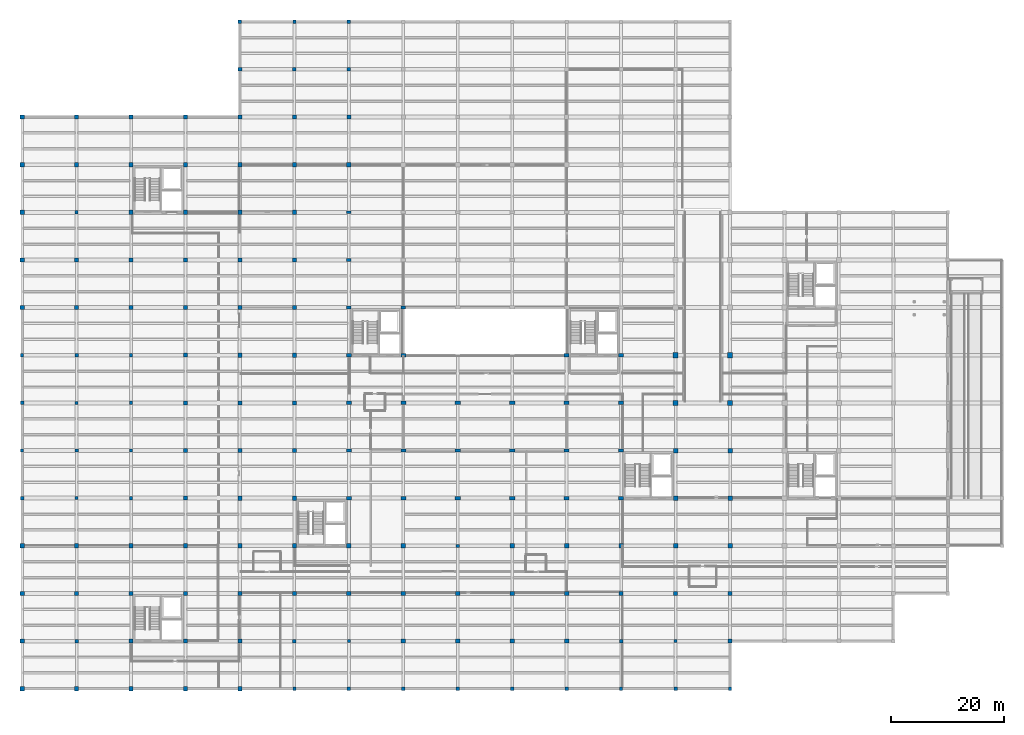
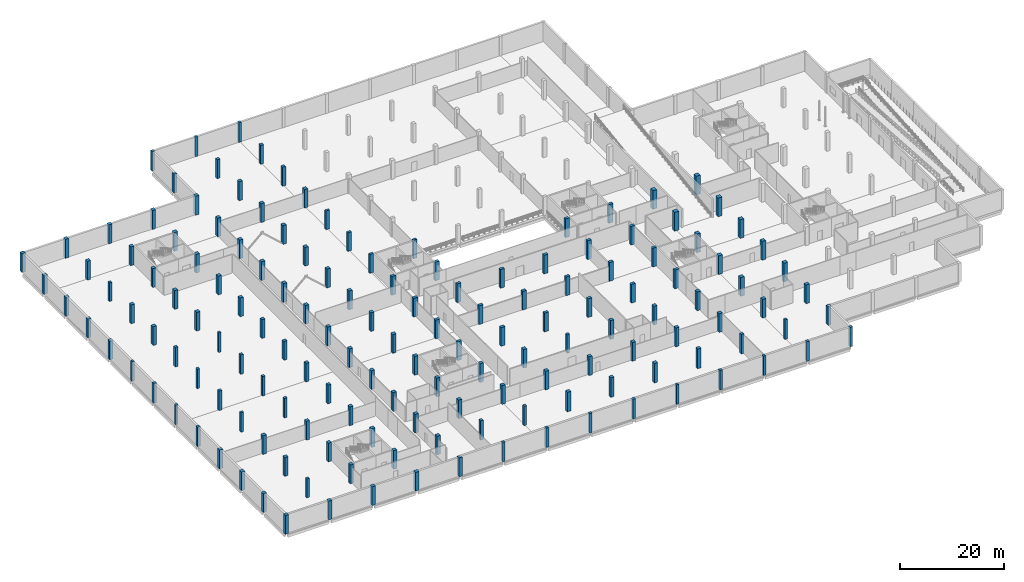
# One storey, part 1 of 30: 152 columns.
"""IFC4 building model written with IfcOpenShell, lengths in metres."""

from ifc_helpers import new_model, si_unit, direction, frame, origin, origin_2d, place, context, subcontext, project, spatial, rectangle, extrude, material, material_profile, profile_set, type_object, element, save


model = new_model("IFC4")

# Units and contexts
model_context = context("Model", 3, precision=1e-05, world=origin(), true_north=direction((0.0, 1.0)))
body_context = subcontext(model_context, "Body", "Model", "MODEL_VIEW")
ifc_project = project(units=[si_unit("LENGTHUNIT", "METRE"), si_unit("AREAUNIT", "SQUARE_METRE"), si_unit("VOLUMEUNIT", "CUBIC_METRE"), si_unit("PLANEANGLEUNIT", "RADIAN"), si_unit("MASSUNIT", "GRAM", prefix="KILO")], contexts=[model_context])

# Site, building, storey
site_placement = place(None, origin())
site = spatial("IfcSite", under=ifc_project, at=site_placement, CompositionType="ELEMENT")
building_placement = place(site_placement, origin())
building = spatial("IfcBuilding", under=site, at=building_placement, Name="Lornevale Opera House", CompositionType="ELEMENT")
storey_placement = place(building_placement, frame((0.0, 0.0, -4.800048828125)))
storey = spatial("IfcBuildingStorey", under=building, at=storey_placement, Name="B1", CompositionType="ELEMENT", Elevation=-4.800048828125)

# Columns
ifc_material_1 = material(Name="Concrete 40 MPa (CSA A23.1 C-1)", Category="concrete")
ifc_material_profile_1 = material_profile(ifc_material_1, rectangle(XDim=0.89990234375, YDim=0.60009765625, at=origin_2d()), Name="RC900x600")
ifc_profile_set_1 = profile_set([ifc_material_profile_1], Name="Concrete 40 MPa (CSA A23.1 C-1)")
column_type_1 = type_object("IfcColumnType", Name="Auditorium Drum Pier 900x600", PredefinedType="COLUMN", material=ifc_profile_set_1)
for number, where, z_axis, x_axis, name in (
    (1, (57.60009765625, 33.60009765625, 0.0), (0.0, 0.0, 1.0), (1.0, 0.0, 0.0), "Auditorium Drum Pier 900x600 0363"),
    (2, (57.60009765625, 42.0, 0.0), (0.0, 0.0, 1.0), (1.0, 0.0, 0.0), "Auditorium Drum Pier 900x600 0368"),
    (3, (57.60009765625, 50.39990234375, 0.0), (0.0, 0.0, 1.0), (1.0, 0.0, 0.0), "Auditorium Drum Pier 900x600 0373"),
    (4, (57.60009765625, 58.800048828125, 0.0), (0.0, 0.0, 1.0), (1.0, 0.0, 0.0), "Auditorium Drum Pier 900x600 0380"),
    (5, (67.199951171875, 33.60009765625, 0.0), (0.0, 0.0, 1.0), (1.0, 0.0, 0.0), "Auditorium Drum Pier 900x600 0433"),
    (6, (67.199951171875, 42.0, 0.0), (0.0, 0.0, 1.0), (1.0, 0.0, 0.0), "Auditorium Drum Pier 900x600 0439"),
    (7, (67.199951171875, 50.39990234375, 0.0), (0.0, 0.0, 1.0), (1.0, 0.0, 0.0), "Auditorium Drum Pier 900x600 0445"),
    (8, (67.199951171875, 58.800048828125, 0.0), (0.0, 0.0, 1.0), (1.0, 0.0, 0.0), "Auditorium Drum Pier 900x600 0452"),
    (9, (76.800048828125, 33.60009765625, 0.0), (0.0, 0.0, 1.0), (1.0, 0.0, 0.0), "Auditorium Drum Pier 900x600 0512"),
    (10, (76.800048828125, 42.0, 0.0), (0.0, 0.0, 1.0), (1.0, 0.0, 0.0), "Auditorium Drum Pier 900x600 0518"),
    (11, (76.800048828125, 50.39990234375, 0.0), (0.0, 0.0, 1.0), (1.0, 0.0, 0.0), "Auditorium Drum Pier 900x600 0524"),
    (12, (86.39990234375, 33.60009765625, 0.0), (0.0, 0.0, 1.0), (1.0, 0.0, 0.0), "Auditorium Drum Pier 900x600 0562"),
    (13, (86.39990234375, 42.0, 0.0), (0.0, 0.0, 1.0), (1.0, 0.0, 0.0), "Auditorium Drum Pier 900x600 0568"),
    (14, (86.39990234375, 50.39990234375, 0.0), (0.0, 0.0, 1.0), (1.0, 0.0, 0.0), "Auditorium Drum Pier 900x600 0574"),
    (15, (96.0, 33.60009765625, 0.0), (0.0, 0.0, 1.0), (1.0, 0.0, 0.0), "Auditorium Drum Pier 900x600 0614"),
    (16, (96.0, 42.0, 0.0), (0.0, 0.0, 1.0), (1.0, 0.0, 0.0), "Auditorium Drum Pier 900x600 0620"),
    (17, (96.0, 50.39990234375, 0.0), (0.0, 0.0, 1.0), (1.0, 0.0, 0.0), "Auditorium Drum Pier 900x600 0626"),
    (18, (96.0, 58.800048828125, 0.0), (0.0, 0.0, 1.0), (1.0, 0.0, 0.0), "Auditorium Drum Pier 900x600 0634"),
    (19, (105.60009765625, 33.60009765625, 0.0), (0.0, 0.0, 1.0), (1.0, 0.0, 0.0), "Auditorium Drum Pier 900x600 0695"),
    (20, (105.60009765625, 42.0, 0.0), (0.0, 0.0, 1.0), (1.0, 0.0, 0.0), "Auditorium Drum Pier 900x600 0701"),
    (21, (105.60009765625, 50.39990234375, 0.0), (0.0, 0.0, 1.0), (1.0, 0.0, 0.0), "Auditorium Drum Pier 900x600 0707"),
    (22, (105.60009765625, 58.800048828125, 0.0), (0.0, 0.0, 1.0), (1.0, 0.0, 0.0), "Auditorium Drum Pier 900x600 0715"),
):
    element("IfcColumn", number, at=place(storey_placement, frame(where, z_axis=z_axis, x_axis=x_axis)), inside=storey, type_object=column_type_1, Name=name, PredefinedType="COLUMN", context=body_context, shape_type="SweptSolid", body=[
        extrude(rectangle(XDim=0.89990234375, YDim=0.60009765625, at=origin_2d()), origin(), (0.0, 0.0, 1.0), 4.380126953125),
    ])
ifc_material_2 = material(Name="Concrete 35 MPa (CSA A23.1 N)", Category="concrete")
ifc_material_profile_2 = material_profile(ifc_material_2, rectangle(XDim=0.550048828125, YDim=0.550048828125, at=origin_2d()), Name="RC550x550")
ifc_profile_set_2 = profile_set([ifc_material_profile_2], Name="Concrete 35 MPa (CSA A23.1 N)")
column_type_2 = type_object("IfcColumnType", Name="Concrete Column 550x550", PredefinedType="COLUMN", material=ifc_profile_set_2)
for number, where, z_axis, x_axis, name in (
    (23, (0.0, 42.0, 0.0), (0.0, 0.0, 1.0), (1.0, 0.0, 0.0), "Concrete Column 550x550 0024"),
    (24, (0.0, 58.800048828125, 0.0), (0.0, 0.0, 1.0), (1.0, 0.0, 0.0), "Concrete Column 550x550 0028"),
    (25, (9.60009765625, 33.60009765625, 0.0), (0.0, 0.0, 1.0), (1.0, 0.0, 0.0), "Concrete Column 550x550 0072"),
    (26, (9.60009765625, 50.39990234375, 0.0), (0.0, 0.0, 1.0), (1.0, 0.0, 0.0), "Concrete Column 550x550 0076"),
):
    element("IfcColumn", number, at=place(storey_placement, frame(where, z_axis=z_axis, x_axis=x_axis)), inside=storey, type_object=column_type_2, Name=name, PredefinedType="COLUMN", context=body_context, shape_type="SweptSolid", body=[
        extrude(rectangle(XDim=0.550048828125, YDim=0.550048828125, at=origin_2d()), origin(), (0.0, 0.0, 1.0), 4.570068359375),
    ])
column_1_placement = place(storey_placement, frame((9.60009765625, 84.0, 0.0), z_axis=(0.0, 0.0, 1.0), x_axis=(1.0, 0.0, 0.0)))
element("IfcColumn", 27, at=column_1_placement, inside=storey, type_object=column_type_2, Name="Concrete Column 550x550 0090", PredefinedType="COLUMN", context=body_context, shape_type="SweptSolid", body=[
    extrude(rectangle(XDim=0.550048828125, YDim=0.550048828125, at=origin_2d()), origin(), (0.0, 0.0, 1.0), 4.380126953125),
])
for number, where, z_axis, x_axis, name in (
    (28, (19.199951171875, 42.0, 0.0), (0.0, 0.0, 1.0), (1.0, 0.0, 0.0), "Concrete Column 550x550 0124"),
    (29, (19.199951171875, 58.800048828125, 0.0), (0.0, 0.0, 1.0), (1.0, 0.0, 0.0), "Concrete Column 550x550 0128"),
    (30, (48.0, 0.0, 0.0), (0.0, 0.0, 1.0), (1.0, 0.0, 0.0), "Concrete Column 550x550 0286"),
    (31, (48.0, 117.60009765625, 0.0), (0.0, 0.0, 1.0), (1.0, 0.0, 0.0), "Concrete Column 550x550 0347"),
    (32, (57.60009765625, 8.39990234375, 0.0), (0.0, 0.0, 1.0), (1.0, 0.0, 0.0), "Concrete Column 550x550 0351"),
    (33, (67.199951171875, 0.0, 0.0), (0.0, 0.0, 1.0), (1.0, 0.0, 0.0), "Concrete Column 550x550 0416"),
):
    element("IfcColumn", number, at=place(storey_placement, frame(where, z_axis=z_axis, x_axis=x_axis)), inside=storey, type_object=column_type_2, Name=name, PredefinedType="COLUMN", context=body_context, shape_type="SweptSolid", body=[
        extrude(rectangle(XDim=0.550048828125, YDim=0.550048828125, at=origin_2d()), origin(), (0.0, 0.0, 1.0), 4.570068359375),
    ])
column_2_placement = place(storey_placement, frame((76.800048828125, 25.199951171875, 0.0), z_axis=(0.0, 0.0, 1.0), x_axis=(1.0, 0.0, 0.0)))
element("IfcColumn", 34, at=column_2_placement, inside=storey, type_object=column_type_2, Name="Concrete Column 550x550 0510", PredefinedType="COLUMN", context=body_context, shape_type="SweptSolid", body=[
    extrude(rectangle(XDim=0.550048828125, YDim=0.550048828125, at=origin_2d()), origin(), (0.0, 0.0, 1.0), 4.380126953125),
])
for number, where, z_axis, x_axis, name in (
    (35, (86.39990234375, 0.0, 0.0), (0.0, 0.0, 1.0), (1.0, 0.0, 0.0), "Concrete Column 550x550 0545"),
    (36, (105.60009765625, 0.0, 0.0), (0.0, 0.0, 1.0), (1.0, 0.0, 0.0), "Concrete Column 550x550 0680"),
    (37, (115.199951171875, 8.39990234375, 0.0), (0.0, 0.0, 1.0), (1.0, 0.0, 0.0), "Concrete Column 550x550 0757"),
    (38, (124.800048828125, 0.0, 0.0), (0.0, 0.0, 1.0), (1.0, 0.0, 0.0), "Concrete Column 550x550 0833"),
):
    element("IfcColumn", number, at=place(storey_placement, frame(where, z_axis=z_axis, x_axis=x_axis)), inside=storey, type_object=column_type_2, Name=name, PredefinedType="COLUMN", context=body_context, shape_type="SweptSolid", body=[
        extrude(rectangle(XDim=0.550048828125, YDim=0.550048828125, at=origin_2d()), origin(), (0.0, 0.0, 1.0), 4.570068359375),
    ])
ifc_material_profile_3 = material_profile(ifc_material_2, rectangle(XDim=0.60009765625, YDim=0.60009765625, at=origin_2d()), Name="RC600x600")
ifc_profile_set_3 = profile_set([ifc_material_profile_3], Name="Concrete 35 MPa (CSA A23.1 N)")
column_type_3 = type_object("IfcColumnType", Name="Concrete Column 600x600", PredefinedType="COLUMN", material=ifc_profile_set_3)
for number, where, z_axis, x_axis, name in (
    (39, (0.0, 33.60009765625, 0.0), (0.0, 0.0, 1.0), (1.0, 0.0, 0.0), "Concrete Column 600x600 0022"),
    (40, (0.0, 50.39990234375, 0.0), (0.0, 0.0, 1.0), (1.0, 0.0, 0.0), "Concrete Column 600x600 0026"),
):
    element("IfcColumn", number, at=place(storey_placement, frame(where, z_axis=z_axis, x_axis=x_axis)), inside=storey, type_object=column_type_3, Name=name, PredefinedType="COLUMN", context=body_context, shape_type="SweptSolid", body=[
        extrude(rectangle(XDim=0.60009765625, YDim=0.60009765625, at=origin_2d()), origin(), (0.0, 0.0, 1.0), 4.570068359375),
    ])
column_3_placement = place(storey_placement, frame((9.60009765625, 8.39990234375, 0.0), z_axis=(0.0, 0.0, 1.0), x_axis=(1.0, 0.0, 0.0)))
element("IfcColumn", 41, at=column_3_placement, inside=storey, type_object=column_type_3, Name="Concrete Column 600x600 0060", PredefinedType="COLUMN", context=body_context, shape_type="SweptSolid", body=[
    extrude(rectangle(XDim=0.60009765625, YDim=0.60009765625, at=origin_2d()), origin(), (0.0, 0.0, 1.0), 4.380126953125),
])
for number, where, z_axis, x_axis, name in (
    (42, (9.60009765625, 42.0, 0.0), (0.0, 0.0, 1.0), (1.0, 0.0, 0.0), "Concrete Column 600x600 0074"),
    (43, (9.60009765625, 58.800048828125, 0.0), (0.0, 0.0, 1.0), (1.0, 0.0, 0.0), "Concrete Column 600x600 0078"),
    (44, (19.199951171875, 33.60009765625, 0.0), (0.0, 0.0, 1.0), (1.0, 0.0, 0.0), "Concrete Column 600x600 0122"),
    (45, (19.199951171875, 50.39990234375, 0.0), (0.0, 0.0, 1.0), (1.0, 0.0, 0.0), "Concrete Column 600x600 0126"),
    (46, (38.39990234375, 117.60009765625, 0.0), (0.0, 0.0, 1.0), (1.0, 0.0, 0.0), "Concrete Column 600x600 0284"),
    (47, (48.0, 8.39990234375, 0.0), (0.0, 0.0, 1.0), (1.0, 0.0, 0.0), "Concrete Column 600x600 0288"),
    (48, (57.60009765625, 0.0, 0.0), (0.0, 0.0, 1.0), (1.0, 0.0, 0.0), "Concrete Column 600x600 0349"),
    (49, (57.60009765625, 117.60009765625, 0.0), (0.0, 0.0, 1.0), (1.0, 0.0, 0.0), "Concrete Column 600x600 0414"),
    (50, (76.800048828125, 0.0, 0.0), (0.0, 0.0, 1.0), (1.0, 0.0, 0.0), "Concrete Column 600x600 0498"),
    (51, (96.0, 0.0, 0.0), (0.0, 0.0, 1.0), (1.0, 0.0, 0.0), "Concrete Column 600x600 0597"),
    (52, (105.60009765625, 8.39990234375, 0.0), (0.0, 0.0, 1.0), (1.0, 0.0, 0.0), "Concrete Column 600x600 0682"),
    (53, (115.199951171875, 0.0, 0.0), (0.0, 0.0, 1.0), (1.0, 0.0, 0.0), "Concrete Column 600x600 0755"),
):
    element("IfcColumn", number, at=place(storey_placement, frame(where, z_axis=z_axis, x_axis=x_axis)), inside=storey, type_object=column_type_3, Name=name, PredefinedType="COLUMN", context=body_context, shape_type="SweptSolid", body=[
        extrude(rectangle(XDim=0.60009765625, YDim=0.60009765625, at=origin_2d()), origin(), (0.0, 0.0, 1.0), 4.570068359375),
    ])
ifc_material_profile_4 = material_profile(ifc_material_1, rectangle(XDim=0.64990234375, YDim=0.64990234375, at=origin_2d()), Name="RC650x650")
ifc_profile_set_4 = profile_set([ifc_material_profile_4], Name="Concrete 40 MPa (CSA A23.1 C-1)")
column_type_4 = type_object("IfcColumnType", Name="Concrete Column 650x650", PredefinedType="COLUMN", material=ifc_profile_set_4)
for number, where, z_axis, x_axis, name in (
    (54, (38.39990234375, 109.199951171875, 0.0), (0.0, 0.0, 1.0), (1.0, 0.0, 0.0), "Concrete Column 650x650 0281"),
    (55, (48.0, 109.199951171875, 0.0), (0.0, 0.0, 1.0), (1.0, 0.0, 0.0), "Concrete Column 650x650 0344"),
    (56, (57.60009765625, 109.199951171875, 0.0), (0.0, 0.0, 1.0), (1.0, 0.0, 0.0), "Concrete Column 650x650 0411"),
):
    element("IfcColumn", number, at=place(storey_placement, frame(where, z_axis=z_axis, x_axis=x_axis)), inside=storey, type_object=column_type_4, Name=name, PredefinedType="COLUMN", context=body_context, shape_type="SweptSolid", body=[
        extrude(rectangle(XDim=0.64990234375, YDim=0.64990234375, at=origin_2d()), origin(), (0.0, 0.0, 1.0), 4.43994140625),
    ])
ifc_material_profile_5 = material_profile(ifc_material_1, rectangle(XDim=0.699951171875, YDim=0.699951171875, at=origin_2d()), Name="RC700x700")
ifc_profile_set_5 = profile_set([ifc_material_profile_5], Name="Concrete 40 MPa (CSA A23.1 C-1)")
column_type_5 = type_object("IfcColumnType", Name="Concrete Column 700x700", PredefinedType="COLUMN", material=ifc_profile_set_5)
for number, where, z_axis, x_axis, name in (
    (57, (28.800048828125, 33.60009765625, 0.0), (0.0, 0.0, 1.0), (1.0, 0.0, 0.0), "Concrete Column 700x700 0175"),
    (58, (28.800048828125, 42.0, 0.0), (0.0, 0.0, 1.0), (1.0, 0.0, 0.0), "Concrete Column 700x700 0179"),
    (59, (28.800048828125, 50.39990234375, 0.0), (0.0, 0.0, 1.0), (1.0, 0.0, 0.0), "Concrete Column 700x700 0183"),
    (60, (28.800048828125, 58.800048828125, 0.0), (0.0, 0.0, 1.0), (1.0, 0.0, 0.0), "Concrete Column 700x700 0187"),
):
    element("IfcColumn", number, at=place(storey_placement, frame(where, z_axis=z_axis, x_axis=x_axis)), inside=storey, type_object=column_type_5, Name=name, PredefinedType="COLUMN", context=body_context, shape_type="SweptSolid", body=[
        extrude(rectangle(XDim=0.699951171875, YDim=0.699951171875, at=origin_2d()), origin(), (0.0, 0.0, 1.0), 4.380126953125),
    ])
for number, where, z_axis, x_axis, name in (
    (61, (48.0, 100.800048828125, 0.0), (0.0, 0.0, 1.0), (1.0, 0.0, 0.0), "Concrete Column 700x700 0340"),
    (62, (57.60009765625, 100.800048828125, 0.0), (0.0, 0.0, 1.0), (1.0, 0.0, 0.0), "Concrete Column 700x700 0407"),
):
    element("IfcColumn", number, at=place(storey_placement, frame(where, z_axis=z_axis, x_axis=x_axis)), inside=storey, type_object=column_type_5, Name=name, PredefinedType="COLUMN", context=body_context, shape_type="SweptSolid", body=[
        extrude(rectangle(XDim=0.699951171875, YDim=0.699951171875, at=origin_2d()), origin(), (0.0, 0.0, 1.0), 4.43994140625),
    ])
column_4_placement = place(storey_placement, frame((124.800048828125, 8.39990234375, 0.0), z_axis=(0.0, 0.0, 1.0), x_axis=(1.0, 0.0, 0.0)))
element("IfcColumn", 63, at=column_4_placement, inside=storey, type_object=column_type_5, Name="Concrete Column 700x700 0835", PredefinedType="COLUMN", context=body_context, shape_type="SweptSolid", body=[
    extrude(rectangle(XDim=0.699951171875, YDim=0.699951171875, at=origin_2d()), origin(), (0.0, 0.0, 1.0), 4.380126953125),
])
ifc_material_profile_6 = material_profile(ifc_material_1, rectangle(XDim=0.75, YDim=0.75, at=origin_2d()), Name="RC750x750")
ifc_profile_set_6 = profile_set([ifc_material_profile_6], Name="Concrete 40 MPa (CSA A23.1 C-1)")
column_type_6 = type_object("IfcColumnType", Name="Concrete Column 750x750", PredefinedType="COLUMN", material=ifc_profile_set_6)
for number, where, z_axis, x_axis, name in (
    (64, (0.0, 0.0, 0.0), (0.0, 0.0, 1.0), (1.0, 0.0, 0.0), "Concrete Column 750x750 0002"),
    (65, (0.0, 8.39990234375, 0.0), (0.0, 0.0, 1.0), (1.0, 0.0, 0.0), "Concrete Column 750x750 0007"),
    (66, (0.0, 16.800048828125, 0.0), (0.0, 0.0, 1.0), (1.0, 0.0, 0.0), "Concrete Column 750x750 0012"),
    (67, (0.0, 25.199951171875, 0.0), (0.0, 0.0, 1.0), (1.0, 0.0, 0.0), "Concrete Column 750x750 0017"),
    (68, (0.0, 67.199951171875, 0.0), (0.0, 0.0, 1.0), (1.0, 0.0, 0.0), "Concrete Column 750x750 0030"),
    (69, (0.0, 75.60009765625, 0.0), (0.0, 0.0, 1.0), (1.0, 0.0, 0.0), "Concrete Column 750x750 0035"),
    (70, (0.0, 84.0, 0.0), (0.0, 0.0, 1.0), (1.0, 0.0, 0.0), "Concrete Column 750x750 0040"),
    (71, (0.0, 92.39990234375, 0.0), (0.0, 0.0, 1.0), (1.0, 0.0, 0.0), "Concrete Column 750x750 0045"),
):
    element("IfcColumn", number, at=place(storey_placement, frame(where, z_axis=z_axis, x_axis=x_axis)), inside=storey, type_object=column_type_6, Name=name, PredefinedType="COLUMN", context=body_context, shape_type="SweptSolid", body=[
        extrude(rectangle(XDim=0.75, YDim=0.75, at=origin_2d()), origin(), (0.0, 0.0, 1.0), 4.380126953125),
    ])
column_5_placement = place(storey_placement, frame((0.0, 100.800048828125, 0.0), z_axis=(0.0, 0.0, 1.0), x_axis=(1.0, 0.0, 0.0)))
element("IfcColumn", 72, at=column_5_placement, inside=storey, type_object=column_type_6, Name="Concrete Column 750x750 0050", PredefinedType="COLUMN", context=body_context, shape_type="SweptSolid", body=[
    extrude(rectangle(XDim=0.75, YDim=0.75, at=origin_2d()), origin(), (0.0, 0.0, 1.0), 4.43994140625),
])
for number, where, z_axis, x_axis, name in (
    (73, (9.60009765625, 0.0, 0.0), (0.0, 0.0, 1.0), (1.0, 0.0, 0.0), "Concrete Column 750x750 0055"),
    (74, (9.60009765625, 16.800048828125, 0.0), (0.0, 0.0, 1.0), (1.0, 0.0, 0.0), "Concrete Column 750x750 0062"),
    (75, (9.60009765625, 25.199951171875, 0.0), (0.0, 0.0, 1.0), (1.0, 0.0, 0.0), "Concrete Column 750x750 0067"),
    (76, (9.60009765625, 67.199951171875, 0.0), (0.0, 0.0, 1.0), (1.0, 0.0, 0.0), "Concrete Column 750x750 0080"),
    (77, (9.60009765625, 75.60009765625, 0.0), (0.0, 0.0, 1.0), (1.0, 0.0, 0.0), "Concrete Column 750x750 0085"),
    (78, (9.60009765625, 92.39990234375, 0.0), (0.0, 0.0, 1.0), (1.0, 0.0, 0.0), "Concrete Column 750x750 0092"),
):
    element("IfcColumn", number, at=place(storey_placement, frame(where, z_axis=z_axis, x_axis=x_axis)), inside=storey, type_object=column_type_6, Name=name, PredefinedType="COLUMN", context=body_context, shape_type="SweptSolid", body=[
        extrude(rectangle(XDim=0.75, YDim=0.75, at=origin_2d()), origin(), (0.0, 0.0, 1.0), 4.380126953125),
    ])
column_6_placement = place(storey_placement, frame((9.60009765625, 100.800048828125, 0.0), z_axis=(0.0, 0.0, 1.0), x_axis=(1.0, 0.0, 0.0)))
element("IfcColumn", 79, at=column_6_placement, inside=storey, type_object=column_type_6, Name="Concrete Column 750x750 0097", PredefinedType="COLUMN", context=body_context, shape_type="SweptSolid", body=[
    extrude(rectangle(XDim=0.75, YDim=0.75, at=origin_2d()), origin(), (0.0, 0.0, 1.0), 4.43994140625),
])
for number, where, z_axis, x_axis, name in (
    (80, (19.199951171875, 0.0, 0.0), (0.0, 0.0, 1.0), (1.0, 0.0, 0.0), "Concrete Column 750x750 0102"),
    (81, (19.199951171875, 8.39990234375, 0.0), (0.0, 0.0, 1.0), (1.0, 0.0, 0.0), "Concrete Column 750x750 0107"),
    (82, (19.199951171875, 16.800048828125, 0.0), (0.0, 0.0, 1.0), (1.0, 0.0, 0.0), "Concrete Column 750x750 0112"),
    (83, (19.199951171875, 25.199951171875, 0.0), (0.0, 0.0, 1.0), (1.0, 0.0, 0.0), "Concrete Column 750x750 0117"),
    (84, (19.199951171875, 67.199951171875, 0.0), (0.0, 0.0, 1.0), (1.0, 0.0, 0.0), "Concrete Column 750x750 0130"),
    (85, (19.199951171875, 75.60009765625, 0.0), (0.0, 0.0, 1.0), (1.0, 0.0, 0.0), "Concrete Column 750x750 0135"),
    (86, (19.199951171875, 84.0, 0.0), (0.0, 0.0, 1.0), (1.0, 0.0, 0.0), "Concrete Column 750x750 0140"),
    (87, (19.199951171875, 92.39990234375, 0.0), (0.0, 0.0, 1.0), (1.0, 0.0, 0.0), "Concrete Column 750x750 0145"),
):
    element("IfcColumn", number, at=place(storey_placement, frame(where, z_axis=z_axis, x_axis=x_axis)), inside=storey, type_object=column_type_6, Name=name, PredefinedType="COLUMN", context=body_context, shape_type="SweptSolid", body=[
        extrude(rectangle(XDim=0.75, YDim=0.75, at=origin_2d()), origin(), (0.0, 0.0, 1.0), 4.380126953125),
    ])
column_7_placement = place(storey_placement, frame((19.199951171875, 100.800048828125, 0.0), z_axis=(0.0, 0.0, 1.0), x_axis=(1.0, 0.0, 0.0)))
element("IfcColumn", 88, at=column_7_placement, inside=storey, type_object=column_type_6, Name="Concrete Column 750x750 0150", PredefinedType="COLUMN", context=body_context, shape_type="SweptSolid", body=[
    extrude(rectangle(XDim=0.75, YDim=0.75, at=origin_2d()), origin(), (0.0, 0.0, 1.0), 4.43994140625),
])
for number, where, z_axis, x_axis, name in (
    (89, (28.800048828125, 0.0, 0.0), (0.0, 0.0, 1.0), (1.0, 0.0, 0.0), "Concrete Column 750x750 0155"),
    (90, (28.800048828125, 8.39990234375, 0.0), (0.0, 0.0, 1.0), (1.0, 0.0, 0.0), "Concrete Column 750x750 0160"),
    (91, (28.800048828125, 16.800048828125, 0.0), (0.0, 0.0, 1.0), (1.0, 0.0, 0.0), "Concrete Column 750x750 0165"),
    (92, (28.800048828125, 25.199951171875, 0.0), (0.0, 0.0, 1.0), (1.0, 0.0, 0.0), "Concrete Column 750x750 0170"),
    (93, (28.800048828125, 67.199951171875, 0.0), (0.0, 0.0, 1.0), (1.0, 0.0, 0.0), "Concrete Column 750x750 0191"),
    (94, (28.800048828125, 75.60009765625, 0.0), (0.0, 0.0, 1.0), (1.0, 0.0, 0.0), "Concrete Column 750x750 0196"),
    (95, (28.800048828125, 84.0, 0.0), (0.0, 0.0, 1.0), (1.0, 0.0, 0.0), "Concrete Column 750x750 0201"),
    (96, (28.800048828125, 92.39990234375, 0.0), (0.0, 0.0, 1.0), (1.0, 0.0, 0.0), "Concrete Column 750x750 0206"),
):
    element("IfcColumn", number, at=place(storey_placement, frame(where, z_axis=z_axis, x_axis=x_axis)), inside=storey, type_object=column_type_6, Name=name, PredefinedType="COLUMN", context=body_context, shape_type="SweptSolid", body=[
        extrude(rectangle(XDim=0.75, YDim=0.75, at=origin_2d()), origin(), (0.0, 0.0, 1.0), 4.380126953125),
    ])
column_8_placement = place(storey_placement, frame((28.800048828125, 100.800048828125, 0.0), z_axis=(0.0, 0.0, 1.0), x_axis=(1.0, 0.0, 0.0)))
element("IfcColumn", 97, at=column_8_placement, inside=storey, type_object=column_type_6, Name="Concrete Column 750x750 0211", PredefinedType="COLUMN", context=body_context, shape_type="SweptSolid", body=[
    extrude(rectangle(XDim=0.75, YDim=0.75, at=origin_2d()), origin(), (0.0, 0.0, 1.0), 4.43994140625),
])
for number, where, z_axis, x_axis, name in (
    (98, (38.39990234375, 0.0, 0.0), (0.0, 0.0, 1.0), (1.0, 0.0, 0.0), "Concrete Column 750x750 0216"),
    (99, (38.39990234375, 8.39990234375, 0.0), (0.0, 0.0, 1.0), (1.0, 0.0, 0.0), "Concrete Column 750x750 0221"),
    (100, (38.39990234375, 16.800048828125, 0.0), (0.0, 0.0, 1.0), (1.0, 0.0, 0.0), "Concrete Column 750x750 0226"),
    (101, (38.39990234375, 25.199951171875, 0.0), (0.0, 0.0, 1.0), (1.0, 0.0, 0.0), "Concrete Column 750x750 0231"),
    (102, (38.39990234375, 33.60009765625, 0.0), (0.0, 0.0, 1.0), (1.0, 0.0, 0.0), "Concrete Column 750x750 0236"),
    (103, (38.39990234375, 42.0, 0.0), (0.0, 0.0, 1.0), (1.0, 0.0, 0.0), "Concrete Column 750x750 0241"),
    (104, (38.39990234375, 50.39990234375, 0.0), (0.0, 0.0, 1.0), (1.0, 0.0, 0.0), "Concrete Column 750x750 0246"),
    (105, (38.39990234375, 58.800048828125, 0.0), (0.0, 0.0, 1.0), (1.0, 0.0, 0.0), "Concrete Column 750x750 0251"),
    (106, (38.39990234375, 67.199951171875, 0.0), (0.0, 0.0, 1.0), (1.0, 0.0, 0.0), "Concrete Column 750x750 0256"),
    (107, (38.39990234375, 75.60009765625, 0.0), (0.0, 0.0, 1.0), (1.0, 0.0, 0.0), "Concrete Column 750x750 0261"),
    (108, (38.39990234375, 84.0, 0.0), (0.0, 0.0, 1.0), (1.0, 0.0, 0.0), "Concrete Column 750x750 0266"),
    (109, (38.39990234375, 92.39990234375, 0.0), (0.0, 0.0, 1.0), (1.0, 0.0, 0.0), "Concrete Column 750x750 0271"),
):
    element("IfcColumn", number, at=place(storey_placement, frame(where, z_axis=z_axis, x_axis=x_axis)), inside=storey, type_object=column_type_6, Name=name, PredefinedType="COLUMN", context=body_context, shape_type="SweptSolid", body=[
        extrude(rectangle(XDim=0.75, YDim=0.75, at=origin_2d()), origin(), (0.0, 0.0, 1.0), 4.380126953125),
    ])
column_9_placement = place(storey_placement, frame((38.39990234375, 100.800048828125, 0.0), z_axis=(0.0, 0.0, 1.0), x_axis=(1.0, 0.0, 0.0)))
element("IfcColumn", 110, at=column_9_placement, inside=storey, type_object=column_type_6, Name="Concrete Column 750x750 0276", PredefinedType="COLUMN", context=body_context, shape_type="SweptSolid", body=[
    extrude(rectangle(XDim=0.75, YDim=0.75, at=origin_2d()), origin(), (0.0, 0.0, 1.0), 4.43994140625),
])
for number, where, z_axis, x_axis, name in (
    (111, (48.0, 16.800048828125, 0.0), (0.0, 0.0, 1.0), (1.0, 0.0, 0.0), "Concrete Column 750x750 0290"),
    (112, (48.0, 25.199951171875, 0.0), (0.0, 0.0, 1.0), (1.0, 0.0, 0.0), "Concrete Column 750x750 0295"),
    (113, (48.0, 33.60009765625, 0.0), (0.0, 0.0, 1.0), (1.0, 0.0, 0.0), "Concrete Column 750x750 0300"),
    (114, (48.0, 42.0, 0.0), (0.0, 0.0, 1.0), (1.0, 0.0, 0.0), "Concrete Column 750x750 0305"),
    (115, (48.0, 50.39990234375, 0.0), (0.0, 0.0, 1.0), (1.0, 0.0, 0.0), "Concrete Column 750x750 0310"),
    (116, (48.0, 58.800048828125, 0.0), (0.0, 0.0, 1.0), (1.0, 0.0, 0.0), "Concrete Column 750x750 0315"),
    (117, (48.0, 67.199951171875, 0.0), (0.0, 0.0, 1.0), (1.0, 0.0, 0.0), "Concrete Column 750x750 0320"),
    (118, (48.0, 75.60009765625, 0.0), (0.0, 0.0, 1.0), (1.0, 0.0, 0.0), "Concrete Column 750x750 0325"),
    (119, (48.0, 84.0, 0.0), (0.0, 0.0, 1.0), (1.0, 0.0, 0.0), "Concrete Column 750x750 0330"),
    (120, (48.0, 92.39990234375, 0.0), (0.0, 0.0, 1.0), (1.0, 0.0, 0.0), "Concrete Column 750x750 0335"),
    (121, (57.60009765625, 16.800048828125, 0.0), (0.0, 0.0, 1.0), (1.0, 0.0, 0.0), "Concrete Column 750x750 0353"),
    (122, (57.60009765625, 25.199951171875, 0.0), (0.0, 0.0, 1.0), (1.0, 0.0, 0.0), "Concrete Column 750x750 0358"),
    (123, (57.60009765625, 92.39990234375, 0.0), (0.0, 0.0, 1.0), (1.0, 0.0, 0.0), "Concrete Column 750x750 0402"),
):
    element("IfcColumn", number, at=place(storey_placement, frame(where, z_axis=z_axis, x_axis=x_axis)), inside=storey, type_object=column_type_6, Name=name, PredefinedType="COLUMN", context=body_context, shape_type="SweptSolid", body=[
        extrude(rectangle(XDim=0.75, YDim=0.75, at=origin_2d()), origin(), (0.0, 0.0, 1.0), 4.380126953125),
    ])
column_10_placement = place(storey_placement, frame((67.199951171875, 8.39990234375, 0.0), z_axis=(0.0, 0.0, 1.0), x_axis=(1.0, 0.0, 0.0)))
element("IfcColumn", 124, at=column_10_placement, inside=storey, type_object=column_type_6, Name="Concrete Column 750x750 0418", PredefinedType="COLUMN", context=body_context, shape_type="SweptSolid", body=[
    extrude(rectangle(XDim=0.75, YDim=0.75, at=origin_2d()), origin(), (0.0, 0.0, 1.0), 4.570068359375),
])
for number, where, z_axis, x_axis, name in (
    (125, (67.199951171875, 16.800048828125, 0.0), (0.0, 0.0, 1.0), (1.0, 0.0, 0.0), "Concrete Column 750x750 0423"),
    (126, (67.199951171875, 25.199951171875, 0.0), (0.0, 0.0, 1.0), (1.0, 0.0, 0.0), "Concrete Column 750x750 0428"),
):
    element("IfcColumn", number, at=place(storey_placement, frame(where, z_axis=z_axis, x_axis=x_axis)), inside=storey, type_object=column_type_6, Name=name, PredefinedType="COLUMN", context=body_context, shape_type="SweptSolid", body=[
        extrude(rectangle(XDim=0.75, YDim=0.75, at=origin_2d()), origin(), (0.0, 0.0, 1.0), 4.380126953125),
    ])
column_11_placement = place(storey_placement, frame((76.800048828125, 8.39990234375, 0.0), z_axis=(0.0, 0.0, 1.0), x_axis=(1.0, 0.0, 0.0)))
element("IfcColumn", 127, at=column_11_placement, inside=storey, type_object=column_type_6, Name="Concrete Column 750x750 0500", PredefinedType="COLUMN", context=body_context, shape_type="SweptSolid", body=[
    extrude(rectangle(XDim=0.75, YDim=0.75, at=origin_2d()), origin(), (0.0, 0.0, 1.0), 4.570068359375),
])
column_12_placement = place(storey_placement, frame((76.800048828125, 16.800048828125, 0.0), z_axis=(0.0, 0.0, 1.0), x_axis=(1.0, 0.0, 0.0)))
element("IfcColumn", 128, at=column_12_placement, inside=storey, type_object=column_type_6, Name="Concrete Column 750x750 0505", PredefinedType="COLUMN", context=body_context, shape_type="SweptSolid", body=[
    extrude(rectangle(XDim=0.75, YDim=0.75, at=origin_2d()), origin(), (0.0, 0.0, 1.0), 4.380126953125),
])
column_13_placement = place(storey_placement, frame((86.39990234375, 8.39990234375, 0.0), z_axis=(0.0, 0.0, 1.0), x_axis=(1.0, 0.0, 0.0)))
element("IfcColumn", 129, at=column_13_placement, inside=storey, type_object=column_type_6, Name="Concrete Column 750x750 0547", PredefinedType="COLUMN", context=body_context, shape_type="SweptSolid", body=[
    extrude(rectangle(XDim=0.75, YDim=0.75, at=origin_2d()), origin(), (0.0, 0.0, 1.0), 4.570068359375),
])
for number, where, z_axis, x_axis, name in (
    (130, (86.39990234375, 16.800048828125, 0.0), (0.0, 0.0, 1.0), (1.0, 0.0, 0.0), "Concrete Column 750x750 0552"),
    (131, (86.39990234375, 25.199951171875, 0.0), (0.0, 0.0, 1.0), (1.0, 0.0, 0.0), "Concrete Column 750x750 0557"),
):
    element("IfcColumn", number, at=place(storey_placement, frame(where, z_axis=z_axis, x_axis=x_axis)), inside=storey, type_object=column_type_6, Name=name, PredefinedType="COLUMN", context=body_context, shape_type="SweptSolid", body=[
        extrude(rectangle(XDim=0.75, YDim=0.75, at=origin_2d()), origin(), (0.0, 0.0, 1.0), 4.380126953125),
    ])
column_14_placement = place(storey_placement, frame((96.0, 8.39990234375, 0.0), z_axis=(0.0, 0.0, 1.0), x_axis=(1.0, 0.0, 0.0)))
element("IfcColumn", 132, at=column_14_placement, inside=storey, type_object=column_type_6, Name="Concrete Column 750x750 0599", PredefinedType="COLUMN", context=body_context, shape_type="SweptSolid", body=[
    extrude(rectangle(XDim=0.75, YDim=0.75, at=origin_2d()), origin(), (0.0, 0.0, 1.0), 4.570068359375),
])
for number, where, z_axis, x_axis, name in (
    (133, (96.0, 16.800048828125, 0.0), (0.0, 0.0, 1.0), (1.0, 0.0, 0.0), "Concrete Column 750x750 0604"),
    (134, (96.0, 25.199951171875, 0.0), (0.0, 0.0, 1.0), (1.0, 0.0, 0.0), "Concrete Column 750x750 0609"),
    (135, (105.60009765625, 16.800048828125, 0.0), (0.0, 0.0, 1.0), (1.0, 0.0, 0.0), "Concrete Column 750x750 0684"),
    (136, (115.199951171875, 16.800048828125, 0.0), (0.0, 0.0, 1.0), (1.0, 0.0, 0.0), "Concrete Column 750x750 0759"),
    (137, (124.800048828125, 16.800048828125, 0.0), (0.0, 0.0, 1.0), (1.0, 0.0, 0.0), "Concrete Column 750x750 0839"),
):
    element("IfcColumn", number, at=place(storey_placement, frame(where, z_axis=z_axis, x_axis=x_axis)), inside=storey, type_object=column_type_6, Name=name, PredefinedType="COLUMN", context=body_context, shape_type="SweptSolid", body=[
        extrude(rectangle(XDim=0.75, YDim=0.75, at=origin_2d()), origin(), (0.0, 0.0, 1.0), 4.380126953125),
    ])
ifc_material_profile_7 = material_profile(ifc_material_1, rectangle(XDim=0.800048828125, YDim=0.800048828125, at=origin_2d()), Name="RC800x800")
ifc_profile_set_7 = profile_set([ifc_material_profile_7], Name="Concrete 40 MPa (CSA A23.1 C-1)")
column_type_7 = type_object("IfcColumnType", Name="Concrete Column 800x800", PredefinedType="COLUMN", material=ifc_profile_set_7)
for number, where, z_axis, x_axis, name in (
    (138, (105.60009765625, 25.199951171875, 0.0), (0.0, 0.0, 1.0), (1.0, 0.0, 0.0), "Concrete Column 800x800 0689"),
    (139, (115.199951171875, 25.199951171875, 0.0), (0.0, 0.0, 1.0), (1.0, 0.0, 0.0), "Concrete Column 800x800 0764"),
    (140, (115.199951171875, 33.60009765625, 0.0), (0.0, 0.0, 1.0), (1.0, 0.0, 0.0), "Concrete Column 800x800 0770"),
    (141, (115.199951171875, 42.0, 0.0), (0.0, 0.0, 1.0), (1.0, 0.0, 0.0), "Concrete Column 800x800 0776"),
    (142, (124.800048828125, 25.199951171875, 0.0), (0.0, 0.0, 1.0), (1.0, 0.0, 0.0), "Concrete Column 800x800 0844"),
    (143, (124.800048828125, 33.60009765625, 0.0), (0.0, 0.0, 1.0), (1.0, 0.0, 0.0), "Concrete Column 800x800 0850"),
    (144, (124.800048828125, 42.0, 0.0), (0.0, 0.0, 1.0), (1.0, 0.0, 0.0), "Concrete Column 800x800 0856"),
):
    element("IfcColumn", number, at=place(storey_placement, frame(where, z_axis=z_axis, x_axis=x_axis)), inside=storey, type_object=column_type_7, Name=name, PredefinedType="COLUMN", context=body_context, shape_type="SweptSolid", body=[
        extrude(rectangle(XDim=0.800048828125, YDim=0.800048828125, at=origin_2d()), origin(), (0.0, 0.0, 1.0), 4.380126953125),
    ])
ifc_material_profile_8 = material_profile(ifc_material_1, rectangle(XDim=0.89990234375, YDim=0.89990234375, at=origin_2d()), Name="RC900x900")
ifc_profile_set_8 = profile_set([ifc_material_profile_8], Name="Concrete 40 MPa (CSA A23.1 C-1)")
column_type_8 = type_object("IfcColumnType", Name="Concrete Column 900x900", PredefinedType="COLUMN", material=ifc_profile_set_8)
for number, where, z_axis, x_axis, name in (
    (145, (115.199951171875, 50.39990234375, 0.0), (0.0, 0.0, 1.0), (1.0, 0.0, 0.0), "Concrete Column 900x900 0782"),
    (146, (115.199951171875, 58.800048828125, 0.0), (0.0, 0.0, 1.0), (1.0, 0.0, 0.0), "Concrete Column 900x900 0790"),
    (147, (124.800048828125, 50.39990234375, 0.0), (0.0, 0.0, 1.0), (1.0, 0.0, 0.0), "Concrete Column 900x900 0862"),
    (148, (124.800048828125, 58.800048828125, 0.0), (0.0, 0.0, 1.0), (1.0, 0.0, 0.0), "Concrete Column 900x900 0870"),
):
    element("IfcColumn", number, at=place(storey_placement, frame(where, z_axis=z_axis, x_axis=x_axis)), inside=storey, type_object=column_type_8, Name=name, PredefinedType="COLUMN", context=body_context, shape_type="SweptSolid", body=[
        extrude(rectangle(XDim=0.89990234375, YDim=0.89990234375, at=origin_2d()), origin(), (0.0, 0.0, 1.0), 4.380126953125),
    ])
ifc_material_profile_9 = material_profile(ifc_material_1, rectangle(XDim=0.800048828125, YDim=0.5, at=origin_2d()), Name="RC800x500")
ifc_profile_set_9 = profile_set([ifc_material_profile_9], Name="Concrete 40 MPa (CSA A23.1 C-1)")
column_type_9 = type_object("IfcColumnType", Name="Stage Pier Column 800x500", PredefinedType="COLUMN", material=ifc_profile_set_9)
for number, where, z_axis, x_axis, name in (
    (149, (57.60009765625, 67.199951171875, 0.0), (0.0, 0.0, 1.0), (1.0, 0.0, 0.0), "Stage Pier Column 800x500 0387"),
    (150, (57.60009765625, 75.60009765625, 0.0), (0.0, 0.0, 1.0), (1.0, 0.0, 0.0), "Stage Pier Column 800x500 0394"),
    (151, (57.60009765625, 84.0, 0.0), (0.0, 0.0, 1.0), (1.0, 0.0, 0.0), "Stage Pier Column 800x500 0396"),
    (152, (67.199951171875, 67.199951171875, 0.0), (0.0, 0.0, 1.0), (1.0, 0.0, 0.0), "Stage Pier Column 800x500 0460"),
):
    element("IfcColumn", number, at=place(storey_placement, frame(where, z_axis=z_axis, x_axis=x_axis)), inside=storey, type_object=column_type_9, Name=name, PredefinedType="COLUMN", context=body_context, shape_type="SweptSolid", body=[
        extrude(rectangle(XDim=0.800048828125, YDim=0.5, at=origin_2d()), origin(), (0.0, 0.0, 1.0), 4.380126953125),
    ])

save(model, "model.ifc")
